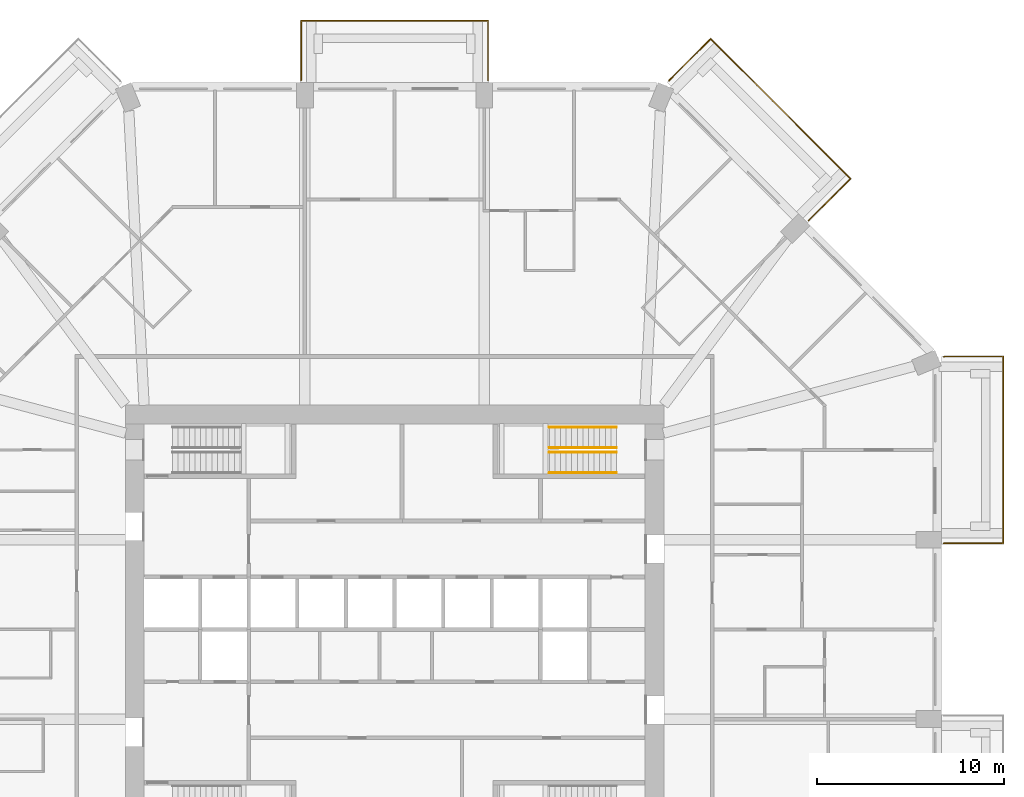
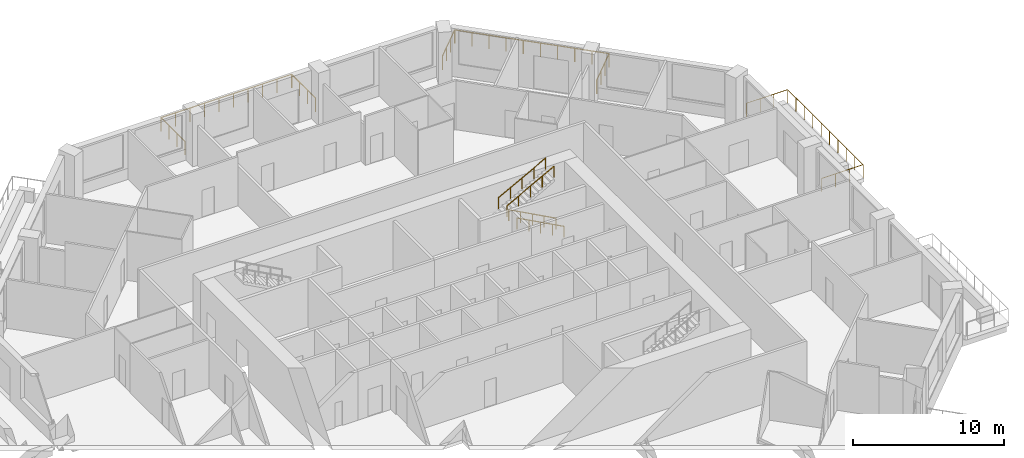
# One storey, part 13 of 13: 7 railings.
"""IFC4 building model written with IfcOpenShell, lengths in metres."""

from ifc_helpers import new_model, si_unit, direction, frame, origin, origin_2d, place, context, subcontext, project, spatial, circle, extrude, material, constituent, constituent_set, type_object, element, save


model = new_model("IFC4")

# Units and contexts
model_context = context("Model", 3, precision=1e-05, world=origin(), true_north=direction((0.0, 1.0)))
body_context = subcontext(model_context, "Body", "Model", "MODEL_VIEW")
ifc_project = project(units=[si_unit("LENGTHUNIT", "METRE"), si_unit("AREAUNIT", "SQUARE_METRE"), si_unit("VOLUMEUNIT", "CUBIC_METRE"), si_unit("PLANEANGLEUNIT", "RADIAN"), si_unit("MASSUNIT", "GRAM", prefix="KILO")], contexts=[model_context])

# Site, building, storey
site_placement = place(None, origin())
site = spatial("IfcSite", under=ifc_project, at=site_placement, CompositionType="ELEMENT")
building_placement = place(site_placement, origin())
building = spatial("IfcBuilding", under=site, at=building_placement, Name="Msitu Wima Residences", CompositionType="ELEMENT")
storey_placement = place(building_placement, frame((0.0, 0.0, 59.10009765625)))
storey = spatial("IfcBuildingStorey", under=building, at=storey_placement, Name="L13", CompositionType="ELEMENT", Elevation=59.10009765625)

# Railings
ifc_material_1 = material(Name="Steel S355", Category="steel")
ifc_constituent_1 = constituent(ifc_material_1, Name="Steel S355")
ifc_material_2 = material(Name="Weathering patina")
ifc_constituent_2 = constituent(ifc_material_2, Name="Weathering patina")
ifc_constituent_set_1 = constituent_set(constituents=[ifc_constituent_1, ifc_constituent_2], Name="Steel S355")
railing_type_1 = type_object("IfcRailingType", Name="Balcony guard GR1100", PredefinedType="GUARDRAIL", material=ifc_constituent_set_1)
railing_1_placement = place(storey_placement, frame((29.3798828125, 14.586181640625, 0.0)))
element("IfcRailing", 1, at=railing_1_placement, inside=storey, type_object=railing_type_1, Name="Balcony guard E2 L13", PredefinedType="GUARDRAIL", context=body_context, shape_type="SweptSolid", body=[
    extrude(circle(Radius=0.02392578125, at=origin_2d()), frame((0.0, 0.0, 1.076171875), z_axis=(0.92426142649, 0.38176015442, 0.0), x_axis=(-0.38176015442, 0.92426142649, 0.0)), (0.0, 0.0, 1.0), 0.036376953125),
    extrude(circle(Radius=0.02392578125, at=origin_2d()), frame((0.03369140625, 0.013916015625, 1.076171875), z_axis=(1.0, 0.0, 0.0), x_axis=(0.0, 1.0, 0.0)), (0.0, 0.0, 1.0), 3.136474609375),
    extrude(circle(Radius=0.02392578125, at=origin_2d()), frame((3.170166015625, 0.013916015625, 1.076171875), z_axis=(0.0, -1.0, 0.0), x_axis=(1.0, 0.0, 0.0)), (0.0, 0.0, 1.0), 10.0),
    extrude(circle(Radius=0.02392578125, at=origin_2d()), frame((3.170166015625, -9.986083984375, 1.076171875), z_axis=(-1.0, 0.0, 0.0), x_axis=(0.0, -1.0, 0.0)), (0.0, 0.0, 1.0), 3.170166015625),
    extrude(circle(Radius=0.02099609375, at=origin_2d()), origin(), (0.0, 0.0, 1.0), 1.052001953125),
    extrude(circle(Radius=0.02099609375, at=origin_2d()), frame((0.03369140625, 0.013916015625, 0.0)), (0.0, 0.0, 1.0), 1.052001953125),
    extrude(circle(Radius=0.02099609375, at=origin_2d()), frame((1.0791015625, 0.013916015625, 0.0)), (0.0, 0.0, 1.0), 1.052001953125),
    extrude(circle(Radius=0.02099609375, at=origin_2d()), frame((2.124755859375, 0.013916015625, 0.0)), (0.0, 0.0, 1.0), 1.052001953125),
    extrude(circle(Radius=0.02099609375, at=origin_2d()), frame((3.170166015625, 0.013916015625, 0.0)), (0.0, 0.0, 1.0), 1.052001953125),
    extrude(circle(Radius=0.02099609375, at=origin_2d()), frame((3.170166015625, -1.09716796875, 0.0)), (0.0, 0.0, 1.0), 1.052001953125),
    extrude(circle(Radius=0.02099609375, at=origin_2d()), frame((3.170166015625, -2.208251953125, 0.0)), (0.0, 0.0, 1.0), 1.052001953125),
    extrude(circle(Radius=0.02099609375, at=origin_2d()), frame((3.170166015625, -3.3193359375, 0.0)), (0.0, 0.0, 1.0), 1.052001953125),
    extrude(circle(Radius=0.02099609375, at=origin_2d()), frame((3.170166015625, -4.430419921875, 0.0)), (0.0, 0.0, 1.0), 1.052001953125),
    extrude(circle(Radius=0.02099609375, at=origin_2d()), frame((3.170166015625, -5.541748046875, 0.0)), (0.0, 0.0, 1.0), 1.052001953125),
    extrude(circle(Radius=0.02099609375, at=origin_2d()), frame((3.170166015625, -6.65283203125, 0.0)), (0.0, 0.0, 1.0), 1.052001953125),
    extrude(circle(Radius=0.02099609375, at=origin_2d()), frame((3.170166015625, -7.763916015625, 0.0)), (0.0, 0.0, 1.0), 1.052001953125),
    extrude(circle(Radius=0.02099609375, at=origin_2d()), frame((3.170166015625, -8.875, 0.0)), (0.0, 0.0, 1.0), 1.052001953125),
    extrude(circle(Radius=0.02099609375, at=origin_2d()), frame((3.170166015625, -9.986083984375, 0.0)), (0.0, 0.0, 1.0), 1.052001953125),
    extrude(circle(Radius=0.02099609375, at=origin_2d()), frame((2.113525390625, -9.986083984375, 0.0)), (0.0, 0.0, 1.0), 1.052001953125),
    extrude(circle(Radius=0.02099609375, at=origin_2d()), frame((1.056640625, -9.986083984375, 0.0)), (0.0, 0.0, 1.0), 1.052001953125),
    extrude(circle(Radius=0.02099609375, at=origin_2d()), frame((0.0, -9.986083984375, 0.0)), (0.0, 0.0, 1.0), 1.052001953125),
])
railing_2_placement = place(storey_placement, frame((14.678466796875, 29.341796875, 0.0)))
element("IfcRailing", 2, at=railing_2_placement, inside=storey, type_object=railing_type_1, Name="Balcony guard NE1 L13", PredefinedType="GUARDRAIL", context=body_context, shape_type="SweptSolid", body=[
    extrude(circle(Radius=0.02392578125, at=origin_2d()), frame((0.0, 0.0, 1.076171875), z_axis=(0.384136806859, 0.923276184907, 0.0), x_axis=(-0.923276184907, 0.384136806859, 0.0)), (0.0, 0.0, 1.0), 0.0361328125),
    extrude(circle(Radius=0.02392578125, at=origin_2d()), frame((0.013916015625, 0.033447265625, 1.076171875), z_axis=(0.707106781187, 0.707106781187, 0.0), x_axis=(-0.707106781187, 0.707106781187, 0.0)), (0.0, 0.0, 1.0), 3.136474609375),
    extrude(circle(Radius=0.02392578125, at=origin_2d()), frame((2.231689453125, 2.251220703125, 1.076171875), z_axis=(0.707118316465, -0.70709524572, 0.0), x_axis=(0.70709524572, 0.707118316465, 0.0)), (0.0, 0.0, 1.0), 10.582275390625),
    extrude(circle(Radius=0.02392578125, at=origin_2d()), frame((9.714599609375, -5.2314453125, 1.076171875), z_axis=(-0.707068272989, -0.707145287287, 0.0), x_axis=(0.707145287287, -0.707068272989, 0.0)), (0.0, 0.0, 1.0), 3.170166015625),
    extrude(circle(Radius=0.02099609375, at=origin_2d()), origin(), (0.0, 0.0, 1.0), 1.052001953125),
    extrude(circle(Radius=0.02099609375, at=origin_2d()), frame((0.013916015625, 0.033447265625, 0.0)), (0.0, 0.0, 1.0), 1.052001953125),
    extrude(circle(Radius=0.02099609375, at=origin_2d()), frame((0.753173828125, 0.772705078125, 0.0)), (0.0, 0.0, 1.0), 1.052001953125),
    extrude(circle(Radius=0.02099609375, at=origin_2d()), frame((1.492431640625, 1.511962890625, 0.0)), (0.0, 0.0, 1.0), 1.052001953125),
    extrude(circle(Radius=0.02099609375, at=origin_2d()), frame((2.231689453125, 2.251220703125, 0.0)), (0.0, 0.0, 1.0), 1.052001953125),
    extrude(circle(Radius=0.02099609375, at=origin_2d()), frame((3.063232421875, 1.419921875, 0.0)), (0.0, 0.0, 1.0), 1.052001953125),
    extrude(circle(Radius=0.02099609375, at=origin_2d()), frame((3.89453125, 0.58837890625, 0.0)), (0.0, 0.0, 1.0), 1.052001953125),
    extrude(circle(Radius=0.02099609375, at=origin_2d()), frame((4.72607421875, -0.242919921875, 0.0)), (0.0, 0.0, 1.0), 1.052001953125),
    extrude(circle(Radius=0.02099609375, at=origin_2d()), frame((5.557373046875, -1.074462890625, 0.0)), (0.0, 0.0, 1.0), 1.052001953125),
    extrude(circle(Radius=0.02099609375, at=origin_2d()), frame((6.388916015625, -1.90576171875, 0.0)), (0.0, 0.0, 1.0), 1.052001953125),
    extrude(circle(Radius=0.02099609375, at=origin_2d()), frame((7.22021484375, -2.7373046875, 0.0)), (0.0, 0.0, 1.0), 1.052001953125),
    extrude(circle(Radius=0.02099609375, at=origin_2d()), frame((8.0517578125, -3.568603515625, 0.0)), (0.0, 0.0, 1.0), 1.052001953125),
    extrude(circle(Radius=0.02099609375, at=origin_2d()), frame((8.883056640625, -4.400146484375, 0.0)), (0.0, 0.0, 1.0), 1.052001953125),
    extrude(circle(Radius=0.02099609375, at=origin_2d()), frame((9.714599609375, -5.2314453125, 0.0)), (0.0, 0.0, 1.0), 1.052001953125),
    extrude(circle(Radius=0.02099609375, at=origin_2d()), frame((8.967529296875, -5.978759765625, 0.0)), (0.0, 0.0, 1.0), 1.052001953125),
    extrude(circle(Radius=0.02099609375, at=origin_2d()), frame((8.22021484375, -6.725830078125, 0.0)), (0.0, 0.0, 1.0), 1.052001953125),
    extrude(circle(Radius=0.02099609375, at=origin_2d()), frame((7.47314453125, -7.47314453125, 0.0)), (0.0, 0.0, 1.0), 1.052001953125),
])
railing_3_placement = place(storey_placement, frame((-5.0, 29.3798828125, 0.0)))
element("IfcRailing", 3, at=railing_3_placement, inside=storey, type_object=railing_type_1, Name="Balcony guard N1 L13", PredefinedType="GUARDRAIL", context=body_context, shape_type="SweptSolid", body=[
    extrude(circle(Radius=0.02392578125, at=origin_2d()), frame((0.0, 0.0, 1.076171875), z_axis=(0.0, 1.0, 0.0), x_axis=(-1.0, 0.0, 0.0)), (0.0, 0.0, 1.0), 3.170166015625),
    extrude(circle(Radius=0.02392578125, at=origin_2d()), frame((0.0, 3.170166015625, 1.076171875), z_axis=(1.0, 0.0, 0.0), x_axis=(0.0, 1.0, 0.0)), (0.0, 0.0, 1.0), 10.0),
    extrude(circle(Radius=0.02392578125, at=origin_2d()), frame((10.0, 3.170166015625, 1.076171875), z_axis=(0.0, -1.0, 0.0), x_axis=(1.0, 0.0, 0.0)), (0.0, 0.0, 1.0), 3.170166015625),
    extrude(circle(Radius=0.02099609375, at=origin_2d()), origin(), (0.0, 0.0, 1.0), 1.052001953125),
    extrude(circle(Radius=0.02099609375, at=origin_2d()), frame((0.0, 1.056640625, 0.0)), (0.0, 0.0, 1.0), 1.052001953125),
    extrude(circle(Radius=0.02099609375, at=origin_2d()), frame((0.0, 2.113525390625, 0.0)), (0.0, 0.0, 1.0), 1.052001953125),
    extrude(circle(Radius=0.02099609375, at=origin_2d()), frame((0.0, 3.170166015625, 0.0)), (0.0, 0.0, 1.0), 1.052001953125),
    extrude(circle(Radius=0.02099609375, at=origin_2d()), frame((1.111083984375, 3.170166015625, 0.0)), (0.0, 0.0, 1.0), 1.052001953125),
    extrude(circle(Radius=0.02099609375, at=origin_2d()), frame((2.22216796875, 3.170166015625, 0.0)), (0.0, 0.0, 1.0), 1.052001953125),
    extrude(circle(Radius=0.02099609375, at=origin_2d()), frame((3.333251953125, 3.170166015625, 0.0)), (0.0, 0.0, 1.0), 1.052001953125),
    extrude(circle(Radius=0.02099609375, at=origin_2d()), frame((4.4443359375, 3.170166015625, 0.0)), (0.0, 0.0, 1.0), 1.052001953125),
    extrude(circle(Radius=0.02099609375, at=origin_2d()), frame((5.5556640625, 3.170166015625, 0.0)), (0.0, 0.0, 1.0), 1.052001953125),
    extrude(circle(Radius=0.02099609375, at=origin_2d()), frame((6.666748046875, 3.170166015625, 0.0)), (0.0, 0.0, 1.0), 1.052001953125),
    extrude(circle(Radius=0.02099609375, at=origin_2d()), frame((7.77783203125, 3.170166015625, 0.0)), (0.0, 0.0, 1.0), 1.052001953125),
    extrude(circle(Radius=0.02099609375, at=origin_2d()), frame((8.888916015625, 3.170166015625, 0.0)), (0.0, 0.0, 1.0), 1.052001953125),
    extrude(circle(Radius=0.02099609375, at=origin_2d()), frame((10.0, 3.170166015625, 0.0)), (0.0, 0.0, 1.0), 1.052001953125),
    extrude(circle(Radius=0.02099609375, at=origin_2d()), frame((10.0, 2.113525390625, 0.0)), (0.0, 0.0, 1.0), 1.052001953125),
    extrude(circle(Radius=0.02099609375, at=origin_2d()), frame((10.0, 1.056640625, 0.0)), (0.0, 0.0, 1.0), 1.052001953125),
    extrude(circle(Radius=0.02099609375, at=origin_2d()), frame((10.0, 0.0, 0.0)), (0.0, 0.0, 1.0), 1.052001953125),
])
ifc_constituent_3 = constituent(ifc_material_1, Name="Steel S355")
ifc_material_3 = material(Name="Black powder coating")
ifc_constituent_4 = constituent(ifc_material_3, Name="Black powder coating")
ifc_constituent_set_2 = constituent_set(constituents=[ifc_constituent_3, ifc_constituent_4], Name="Steel S355")
railing_type_2 = type_object("IfcRailingType", Name="Stair handrail HR1", PredefinedType="HANDRAIL", material=ifc_constituent_set_2)
for number, where, name in (
    (4, (11.875, 8.375, 0.161376953125), "Stair 3 handrail"),
    (5, (11.875, 9.47509765625, 0.161376953125), "Stair 3 handrail"),
):
    element("IfcRailing", number, at=place(storey_placement, frame(where)), inside=storey, type_object=railing_type_2, Name=name, PredefinedType="HANDRAIL", context=body_context, shape_type="SweptSolid", body=[
        extrude(circle(Radius=0.02392578125, at=origin_2d()), frame((0.0, 0.0, 0.8759765625), z_axis=(-0.880474934443, 0.0, 0.474092701714), x_axis=(0.0, -1.0, 0.0)), (0.0, 0.0, 1.0), 4.0888671875),
        extrude(circle(Radius=0.02099609375, at=origin_2d()), origin(), (0.0, 0.0, 1.0), 0.851806640625),
        extrude(circle(Radius=0.02099609375, at=origin_2d()), frame((-0.89990234375, 0.0, 0.484619140625)), (0.0, 0.0, 1.0), 0.851806640625),
        extrude(circle(Radius=0.02099609375, at=origin_2d()), frame((-1.800048828125, 0.0, 0.96923828125)), (0.0, 0.0, 1.0), 0.851806640625),
        extrude(circle(Radius=0.02099609375, at=origin_2d()), frame((-2.7001953125, 0.0, 1.453857421875)), (0.0, 0.0, 1.0), 0.851806640625),
        extrude(circle(Radius=0.02099609375, at=origin_2d()), frame((-3.60009765625, 0.0, 1.9384765625)), (0.0, 0.0, 1.0), 0.851806640625),
    ])
for number, where, name in (
    (6, (8.27490234375, 9.72509765625, 2.261474609375), "Stair 3 handrail"),
    (7, (8.27490234375, 10.824951171875, 2.261474609375), "Stair 3 handrail"),
):
    element("IfcRailing", number, at=place(storey_placement, frame(where)), inside=storey, type_object=railing_type_2, Name=name, PredefinedType="HANDRAIL", context=body_context, shape_type="SweptSolid", body=[
        extrude(circle(Radius=0.02392578125, at=origin_2d()), frame((0.0, 0.0, 0.8759765625), z_axis=(0.880474934443, 0.0, 0.474092701714), x_axis=(0.0, 1.0, 0.0)), (0.0, 0.0, 1.0), 4.0888671875),
        extrude(circle(Radius=0.02099609375, at=origin_2d()), origin(), (0.0, 0.0, 1.0), 0.851806640625),
        extrude(circle(Radius=0.02099609375, at=origin_2d()), frame((0.89990234375, 0.0, 0.484619140625)), (0.0, 0.0, 1.0), 0.851806640625),
        extrude(circle(Radius=0.02099609375, at=origin_2d()), frame((1.800048828125, 0.0, 0.96923828125)), (0.0, 0.0, 1.0), 0.851806640625),
        extrude(circle(Radius=0.02099609375, at=origin_2d()), frame((2.7001953125, 0.0, 1.453857421875)), (0.0, 0.0, 1.0), 0.851806640625),
        extrude(circle(Radius=0.02099609375, at=origin_2d()), frame((3.60009765625, 0.0, 1.9384765625)), (0.0, 0.0, 1.0), 0.851806640625),
    ])

save(model, "model.ifc")
